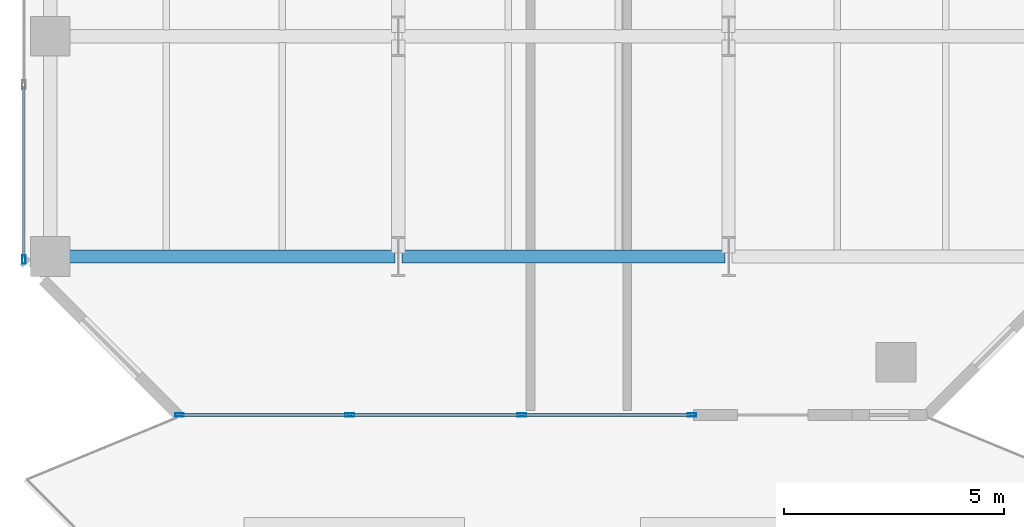
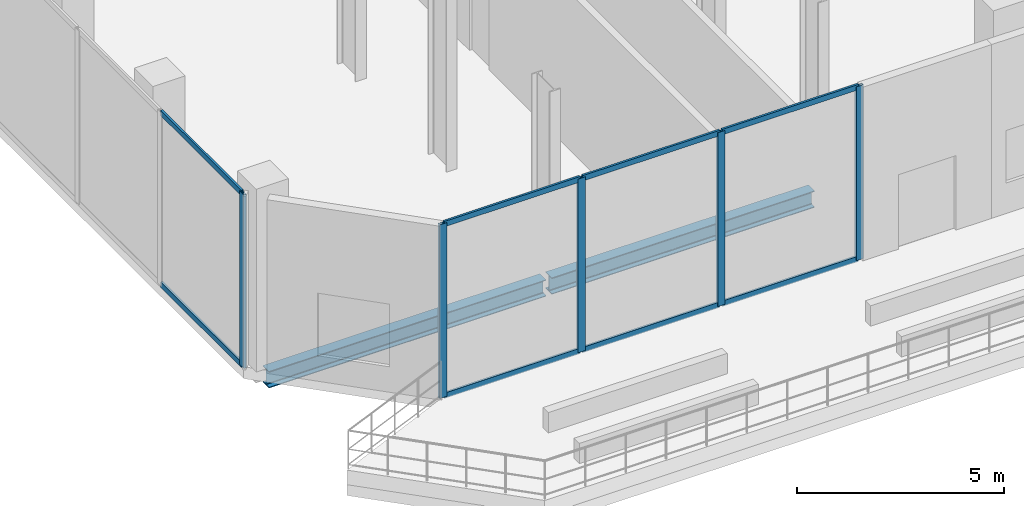
# One storey, part 2 of 24: 13 members, 2 beams, 2 elements without a shape of their own.
"""IFC4 building model written with IfcOpenShell, lengths in metres."""

from ifc_helpers import new_model, si_unit, direction, frame, origin, origin_2d, place, context, subcontext, project, spatial, hollow_rectangle, i_section, extrude, material, layer, layer_set, material_profile, profile_set, type_object, element, aggregate, save


model = new_model("IFC4")

# Units and contexts
model_context = context("Model", 3, precision=1e-05, world=origin(), true_north=direction((0.0, 1.0)))
body_context = subcontext(model_context, "Body", "Model", "MODEL_VIEW")
ifc_project = project(units=[si_unit("LENGTHUNIT", "METRE"), si_unit("AREAUNIT", "SQUARE_METRE"), si_unit("VOLUMEUNIT", "CUBIC_METRE"), si_unit("PLANEANGLEUNIT", "RADIAN"), si_unit("MASSUNIT", "GRAM", prefix="KILO")], contexts=[model_context])

# Site, building, storey
site_placement = place(None, origin())
site = spatial("IfcSite", under=ifc_project, at=site_placement, CompositionType="ELEMENT")
building_placement = place(site_placement, origin())
building = spatial("IfcBuilding", under=site, at=building_placement, Name="Catumbela Crestline Tower", CompositionType="ELEMENT")
storey_placement = place(building_placement, frame((0.0, 0.0, 84.6)))
storey = spatial("IfcBuildingStorey", under=building, at=storey_placement, Name="L21", CompositionType="ELEMENT", Elevation=84.6)

# Beams
ifc_material_1 = material(Name="Structural steel S355J2", Category="steel")
ifc_material_profile_1 = material_profile(ifc_material_1, i_section(OverallWidth=0.3, OverallDepth=0.49, WebThickness=0.012, FlangeThickness=0.023, FilletRadius=0.027, at=origin_2d()), Name="HEA 500")
ifc_profile_set_1 = profile_set([ifc_material_profile_1], Name="Structural steel S355J2")
beam_type = type_object("IfcBeamType", Name="BG-HEA500", PredefinedType="BEAM", material=ifc_profile_set_1)
beam_1_placement = place(storey_placement, frame((0.68, 8.6, -0.595), z_axis=(1.0, 0.0, 0.0), x_axis=(0.0, 1.0, 0.0)))
element("IfcBeam", 1, at=beam_1_placement, inside=storey, type_object=beam_type, Name="L21 Beam BM-L21-WEW43", PredefinedType="BEAM", context=body_context, shape_type="SweptSolid", body=[
    extrude(i_section(OverallWidth=0.3, OverallDepth=0.49, WebThickness=0.012, FlangeThickness=0.023, FilletRadius=0.027, at=origin_2d()), origin(), (0.0, 0.0, 1.0), 7.74),
])
beam_2_placement = place(storey_placement, frame((8.58, 8.6, -0.595), z_axis=(1.0, 0.0, 0.0), x_axis=(0.0, 1.0, 0.0)))
element("IfcBeam", 2, at=beam_2_placement, inside=storey, type_object=beam_type, Name="L21 Beam BM-L21-WEW44", PredefinedType="BEAM", context=body_context, shape_type="SweptSolid", body=[
    extrude(i_section(OverallWidth=0.3, OverallDepth=0.49, WebThickness=0.012, FlangeThickness=0.023, FilletRadius=0.027, at=origin_2d()), origin(), (0.0, 0.0, 1.0), 7.34),
])

# Curtain wall, members
ifc_material_2 = material(Name="Aluminium alloy AW-6060-T66", Category="aluminium")
ifc_layer = layer(ifc_material_2, 0.18, Name="Aluminium alloy AW-6060-T66")
ifc_layer_set = layer_set([ifc_layer], Name="Aluminium alloy AW-6060-T66")
curtain_wall_type = type_object("IfcCurtainWallType", Name="CWU-SKY", PredefinedType="USERDEFINED", material=ifc_layer_set)
curtain_wall_1_placement = place(storey_placement, origin())
curtain_wall_1 = element("IfcCurtainWall", 3, at=curtain_wall_1_placement, inside=storey, type_object=curtain_wall_type, Name="L21 Unitised Curtain Wall CW-L21-E0S1", ObjectType="UNITISED", PredefinedType="USERDEFINED")
ifc_material_profile_2 = material_profile(ifc_material_2, hollow_rectangle(XDim=0.075, YDim=0.2, WallThickness=0.005, at=origin_2d()), Name="ALU 200x75x5")
ifc_profile_set_2 = profile_set([ifc_material_profile_2], Name="Aluminium alloy AW-6060-T66")
member_type_1 = type_object("IfcMemberType", Name="MUL-200X75", PredefinedType="MULLION", material=ifc_profile_set_2)
member_1_placement = place(storey_placement, frame((3.5325, 5.0, 0.0), z_axis=(0.0, 0.0, 1.0), x_axis=(0.0, 1.0, 0.0)))
member_1 = element("IfcMember", 4, at=member_1_placement, type_object=member_type_1, Name="CWU-SKY mullion 1", PredefinedType="MULLION", context=body_context, shape_type="SweptSolid", body=[
    extrude(hollow_rectangle(XDim=0.075, YDim=0.2, WallThickness=0.005, at=origin_2d()), origin(), (0.0, 0.0, 1.0), 5.13),
])
member_2_placement = place(storey_placement, frame((7.4, 5.0, 0.0), z_axis=(0.0, 0.0, 1.0), x_axis=(0.0, 1.0, 0.0)))
member_2 = element("IfcMember", 5, at=member_2_placement, type_object=member_type_1, Name="CWU-SKY mullion 2", PredefinedType="MULLION", context=body_context, shape_type="SweptSolid", body=[
    extrude(hollow_rectangle(XDim=0.075, YDim=0.2, WallThickness=0.005, at=origin_2d()), origin(), (0.0, 0.0, 1.0), 5.13),
])
member_3_placement = place(storey_placement, frame((11.3, 5.0, 0.0), z_axis=(0.0, 0.0, 1.0), x_axis=(0.0, 1.0, 0.0)))
member_3 = element("IfcMember", 6, at=member_3_placement, type_object=member_type_1, Name="CWU-SKY mullion 3", PredefinedType="MULLION", context=body_context, shape_type="SweptSolid", body=[
    extrude(hollow_rectangle(XDim=0.075, YDim=0.2, WallThickness=0.005, at=origin_2d()), origin(), (0.0, 0.0, 1.0), 5.13),
])
member_4_placement = place(storey_placement, frame((15.1675, 5.0, 0.0), z_axis=(0.0, 0.0, 1.0), x_axis=(0.0, 1.0, 0.0)))
member_4 = element("IfcMember", 7, at=member_4_placement, type_object=member_type_1, Name="CWU-SKY mullion 4", PredefinedType="MULLION", context=body_context, shape_type="SweptSolid", body=[
    extrude(hollow_rectangle(XDim=0.075, YDim=0.2, WallThickness=0.005, at=origin_2d()), origin(), (0.0, 0.0, 1.0), 5.13),
])

# Curtain wall, member
curtain_wall_2_placement = place(storey_placement, origin())
curtain_wall_2 = element("IfcCurtainWall", 8, at=curtain_wall_2_placement, inside=storey, type_object=curtain_wall_type, Name="L21 Unitised Curtain Wall CW-L21-E9S1", ObjectType="UNITISED", PredefinedType="USERDEFINED")
member_5_placement = place(storey_placement, frame((0.0, 8.5325, 0.0), z_axis=(0.0, 0.0, 1.0), x_axis=(1.0, 0.0, 0.0)))
member_5 = element("IfcMember", 9, at=member_5_placement, type_object=member_type_1, Name="CWU-SKY mullion 10", PredefinedType="MULLION", context=body_context, shape_type="SweptSolid", body=[
    extrude(hollow_rectangle(XDim=0.075, YDim=0.2, WallThickness=0.005, at=origin_2d()), origin(), (0.0, 0.0, 1.0), 5.13),
])

# Member
ifc_material_profile_3 = material_profile(ifc_material_2, hollow_rectangle(XDim=0.06, YDim=0.16, WallThickness=0.004, at=origin_2d()), Name="ALU 160x60x4")
ifc_profile_set_3 = profile_set([ifc_material_profile_3], Name="Aluminium alloy AW-6060-T66")
member_type_2 = type_object("IfcMemberType", Name="TRN-160X60", PredefinedType="USERDEFINED", material=ifc_profile_set_3)
member_6_placement = place(storey_placement, frame((3.565, 5.0, 0.03), z_axis=(1.0, 0.0, 0.0), x_axis=(0.0, 1.0, 0.0)))
member_6 = element("IfcMember", 10, at=member_6_placement, type_object=member_type_2, Name="CWU-SKY transom 1.1", ObjectType="TRANSOM", PredefinedType="USERDEFINED", context=body_context, shape_type="SweptSolid", body=[
    extrude(hollow_rectangle(XDim=0.06, YDim=0.16, WallThickness=0.004, at=origin_2d()), origin(), (0.0, 0.0, 1.0), 3.8025),
])

member_7_placement = place(storey_placement, frame((3.565, 5.0, 5.1), z_axis=(1.0, 0.0, 0.0), x_axis=(0.0, 1.0, 0.0)))
member_7 = element("IfcMember", 11, at=member_7_placement, type_object=member_type_2, Name="CWU-SKY transom 1.2", ObjectType="TRANSOM", PredefinedType="USERDEFINED", context=body_context, shape_type="SweptSolid", body=[
    extrude(hollow_rectangle(XDim=0.06, YDim=0.16, WallThickness=0.004, at=origin_2d()), origin(), (0.0, 0.0, 1.0), 3.8025),
])

member_8_placement = place(storey_placement, frame((7.4325, 5.0, 0.03), z_axis=(1.0, 0.0, 0.0), x_axis=(0.0, 1.0, 0.0)))
member_8 = element("IfcMember", 12, at=member_8_placement, type_object=member_type_2, Name="CWU-SKY transom 2.1", ObjectType="TRANSOM", PredefinedType="USERDEFINED", context=body_context, shape_type="SweptSolid", body=[
    extrude(hollow_rectangle(XDim=0.06, YDim=0.16, WallThickness=0.004, at=origin_2d()), origin(), (0.0, 0.0, 1.0), 3.835),
])

member_9_placement = place(storey_placement, frame((7.4325, 5.0, 5.1), z_axis=(1.0, 0.0, 0.0), x_axis=(0.0, 1.0, 0.0)))
member_9 = element("IfcMember", 13, at=member_9_placement, type_object=member_type_2, Name="CWU-SKY transom 2.2", ObjectType="TRANSOM", PredefinedType="USERDEFINED", context=body_context, shape_type="SweptSolid", body=[
    extrude(hollow_rectangle(XDim=0.06, YDim=0.16, WallThickness=0.004, at=origin_2d()), origin(), (0.0, 0.0, 1.0), 3.835),
])

member_10_placement = place(storey_placement, frame((11.3325, 5.0, 0.03), z_axis=(1.0, 0.0, 0.0), x_axis=(0.0, 1.0, 0.0)))
member_10 = element("IfcMember", 14, at=member_10_placement, type_object=member_type_2, Name="CWU-SKY transom 3.1", ObjectType="TRANSOM", PredefinedType="USERDEFINED", context=body_context, shape_type="SweptSolid", body=[
    extrude(hollow_rectangle(XDim=0.06, YDim=0.16, WallThickness=0.004, at=origin_2d()), origin(), (0.0, 0.0, 1.0), 3.8025),
])

member_11_placement = place(storey_placement, frame((11.3325, 5.0, 5.1), z_axis=(1.0, 0.0, 0.0), x_axis=(0.0, 1.0, 0.0)))
member_11 = element("IfcMember", 15, at=member_11_placement, type_object=member_type_2, Name="CWU-SKY transom 3.2", ObjectType="TRANSOM", PredefinedType="USERDEFINED", context=body_context, shape_type="SweptSolid", body=[
    extrude(hollow_rectangle(XDim=0.06, YDim=0.16, WallThickness=0.004, at=origin_2d()), origin(), (0.0, 0.0, 1.0), 3.8025),
])

aggregate(curtain_wall_1, [member_1, member_2, member_3, member_4, member_6, member_7, member_8, member_9, member_10, member_11])

member_12_placement = place(storey_placement, frame((0.0, 12.4675, 0.03), z_axis=(0.0, -1.0, 0.0), x_axis=(1.0, 0.0, 0.0)))
member_12 = element("IfcMember", 16, at=member_12_placement, type_object=member_type_2, Name="CWU-SKY transom 9.1", ObjectType="TRANSOM", PredefinedType="USERDEFINED", context=body_context, shape_type="SweptSolid", body=[
    extrude(hollow_rectangle(XDim=0.06, YDim=0.16, WallThickness=0.004, at=origin_2d()), origin(), (0.0, 0.0, 1.0), 3.9025),
])

member_13_placement = place(storey_placement, frame((0.0, 12.4675, 5.1), z_axis=(0.0, -1.0, 0.0), x_axis=(1.0, 0.0, 0.0)))
member_13 = element("IfcMember", 17, at=member_13_placement, type_object=member_type_2, Name="CWU-SKY transom 9.2", ObjectType="TRANSOM", PredefinedType="USERDEFINED", context=body_context, shape_type="SweptSolid", body=[
    extrude(hollow_rectangle(XDim=0.06, YDim=0.16, WallThickness=0.004, at=origin_2d()), origin(), (0.0, 0.0, 1.0), 3.9025),
])

aggregate(curtain_wall_2, [member_5, member_12, member_13])

save(model, "model.ifc")
